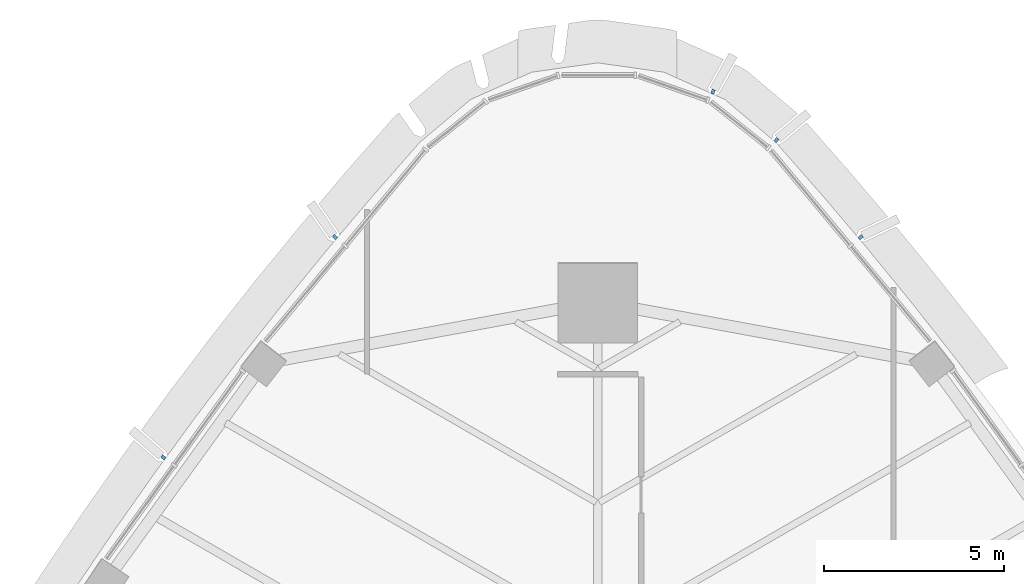
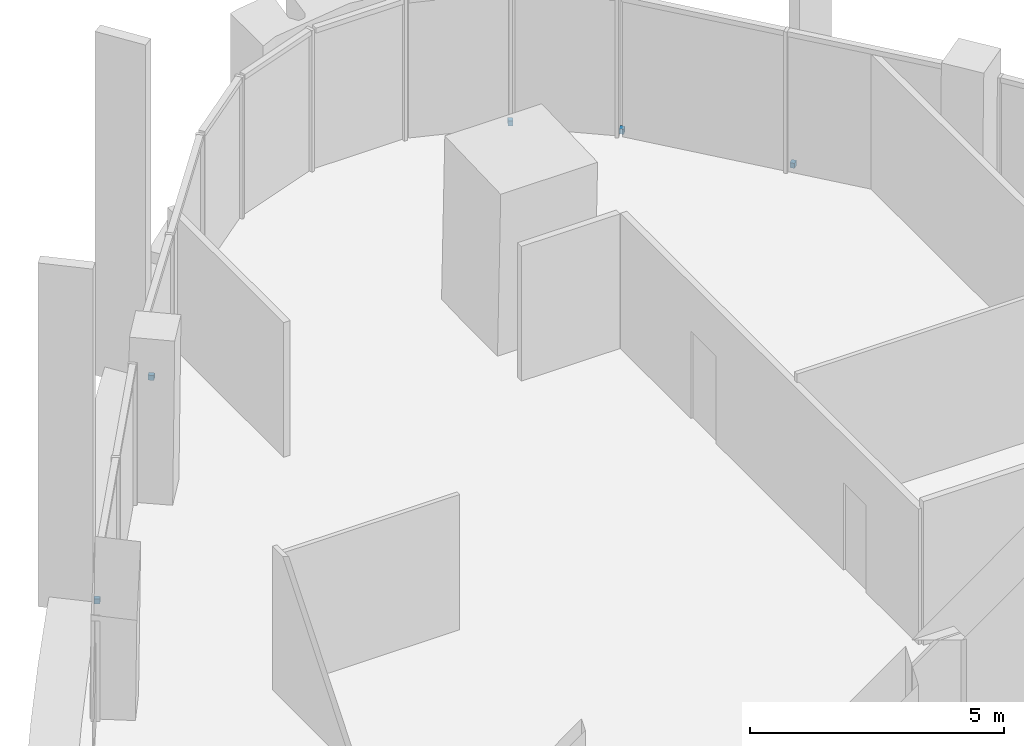
# One storey, part 14 of 18: 5 discrete accessories.
"""IFC4 building model written with IfcOpenShell, lengths in metres."""

from ifc_helpers import new_model, si_unit, direction, frame, origin, origin_2d, place, context, subcontext, project, spatial, rectangle, extrude, material, type_object, element, save


model = new_model("IFC4")

# Units and contexts
model_context = context("Model", 3, precision=1e-05, world=origin(), true_north=direction((0.0, 1.0)))
body_context = subcontext(model_context, "Body", "Model", "MODEL_VIEW")
ifc_project = project(units=[si_unit("LENGTHUNIT", "METRE"), si_unit("AREAUNIT", "SQUARE_METRE"), si_unit("VOLUMEUNIT", "CUBIC_METRE"), si_unit("PLANEANGLEUNIT", "RADIAN"), si_unit("MASSUNIT", "GRAM", prefix="KILO")], contexts=[model_context])

# Site, building, storey
site_placement = place(None, origin())
site = spatial("IfcSite", under=ifc_project, at=site_placement, CompositionType="ELEMENT")
building_placement = place(site_placement, origin())
building = spatial("IfcBuilding", under=site, at=building_placement, Name="Sierra Prisma Convention Tower", CompositionType="ELEMENT")
storey_placement = place(building_placement, frame((0.0, 0.0, 279.0)))
storey = spatial("IfcBuildingStorey", under=building, at=storey_placement, Name="L63", CompositionType="ELEMENT", Elevation=279.0)

# Discrete accessories
ifc_material = material(Name="Stainless steel 316", Category="steel")
discrete_accessory_type = type_object("IfcDiscreteAccessoryType", Name="Fin bracket", PredefinedType="BRACKET", material=ifc_material)
for number, where, z_axis, x_axis, name in (
    (1, (7.286865234375, 25.99365234375, -0.135009765625), (0.0, 0.0, 1.0), (0.76302854219, 0.646364791587, 0.0), "Fin bracket L63.39 base"),
    (2, (4.952880859375, 28.6845703125, -0.135009765625), (0.0, 0.0, 1.0), (0.644921052707, 0.764249197432, 0.0), "Fin bracket L63.40 base"),
    (3, (3.193359375, 30.02490234375, -0.135009765625), (0.0, 0.0, 1.0), (0.408264404108, 0.912863722764, 0.0), "Fin bracket L63.41 base"),
    (4, (-7.286865234375, 25.99365234375, -0.135009765625), (0.0, 0.0, 1.0), (-0.76302854219, 0.646364791587, 0.0), "Fin bracket L63.46 base"),
    (5, (-12.044189453125, 19.8876953125, -0.135009765625), (0.0, 0.0, 1.0), (-0.807363702179, 0.590054109725, 0.0), "Fin bracket L63.49 base"),
):
    element("IfcDiscreteAccessory", number, at=place(storey_placement, frame(where, z_axis=z_axis, x_axis=x_axis)), inside=storey, type_object=discrete_accessory_type, Name=name, PredefinedType="BRACKET", context=body_context, shape_type="SweptSolid", body=[
        extrude(rectangle(XDim=0.1201171875, YDim=0.10009765625, at=origin_2d()), origin(), (0.0, 0.0, 1.0), 0.1201171875),
    ])

save(model, "model.ifc")
